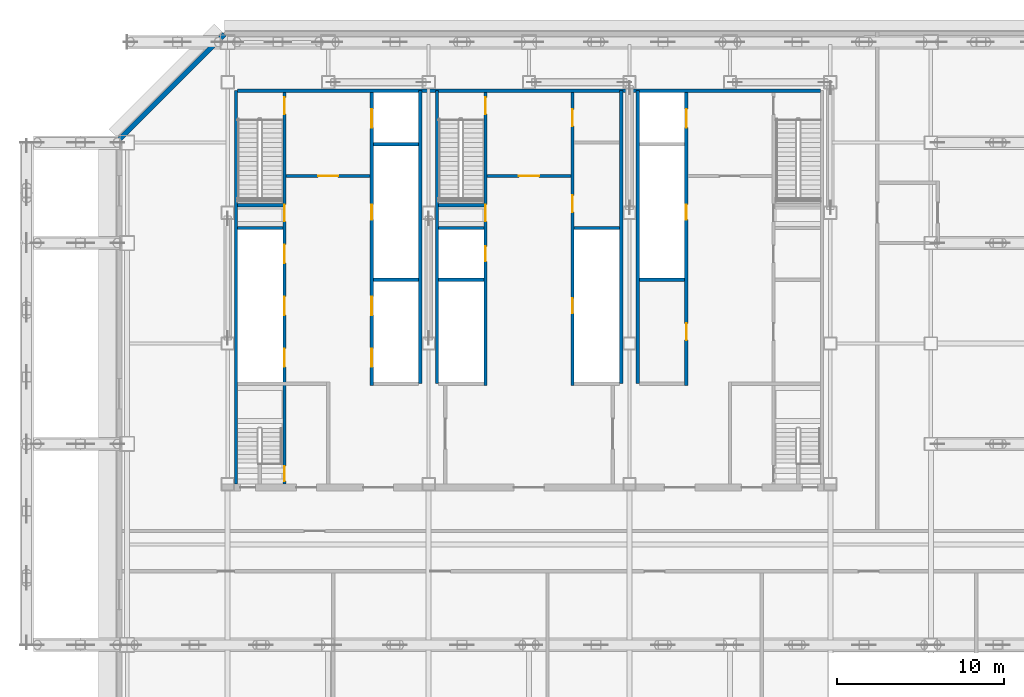
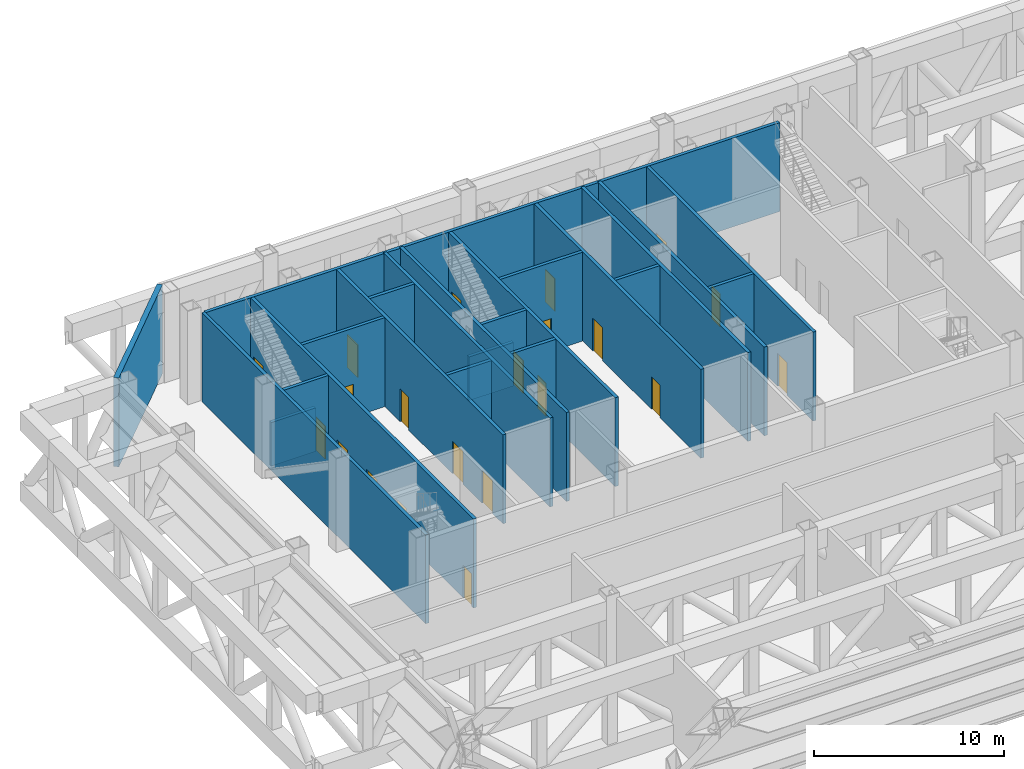
# One storey, part 7 of 17: 23 walls, 21 doors, 21 openings.
"""IFC4 building model written with IfcOpenShell, lengths in metres."""

from ifc_helpers import new_model, si_unit, direction, frame, frame_2d, origin, place, context, subcontext, project, spatial, rectangle, extrude, material, layer, layer_set, type_object, element, fill, save


model = new_model("IFC4")

# Units and contexts
model_context = context("Model", 3, precision=1e-05, world=origin(), true_north=direction((0.0, 1.0)))
body_context = subcontext(model_context, "Body", "Model", "MODEL_VIEW")
ifc_project = project(units=[si_unit("LENGTHUNIT", "METRE"), si_unit("AREAUNIT", "SQUARE_METRE"), si_unit("VOLUMEUNIT", "CUBIC_METRE"), si_unit("PLANEANGLEUNIT", "RADIAN"), si_unit("MASSUNIT", "GRAM", prefix="KILO")], contexts=[model_context])

# Site, building, storey
site_placement = place(None, origin())
site = spatial("IfcSite", under=ifc_project, at=site_placement, CompositionType="ELEMENT")
building_placement = place(site_placement, origin())
building = spatial("IfcBuilding", under=site, at=building_placement, Name="Sorahane Residences", CompositionType="ELEMENT")
storey_placement = place(building_placement, frame((0.0, 0.0, 90.199951171875)))
storey = spatial("IfcBuildingStorey", under=building, at=storey_placement, Name="L19", CompositionType="ELEMENT", Elevation=90.199951171875)

# Walls
ifc_material_1 = material(Name="Concrete C30", Category="concrete")
ifc_layer_1 = layer(ifc_material_1, 0.199951171875)
ifc_layer_set_1 = layer_set([ifc_layer_1], Name="Core face wall 200 EI 180")
wall_type_1 = type_object("IfcWallType", Name="Core face wall 200 EI 180", PredefinedType="SOLIDWALL", material=ifc_layer_set_1)
wall_1_placement = place(storey_placement, frame((6.5, 21.60009765625, 0.0), z_axis=(0.0, 0.0, 1.0), x_axis=(0.0, 1.0, 0.0)))
element("IfcWall", 1, at=wall_1_placement, inside=storey, type_object=wall_type_1, Name="L19 core face wall", PredefinedType="SOLIDWALL", context=body_context, shape_type="SweptSolid", body=[
    extrude(rectangle(XDim=23.5, YDim=0.199951171875, at=frame_2d((11.75, 0.0))), origin(), (0.0, 0.0, 1.0), 5.699951171875),
])
wall_2_placement = place(storey_placement, frame((6.60009765625, 45.10009765625, 0.0), z_axis=(0.0, 0.0, 1.0), x_axis=(1.0, 0.0, 0.0)))
element("IfcWall", 2, at=wall_2_placement, inside=storey, type_object=wall_type_1, Name="L19 core face wall", PredefinedType="SOLIDWALL", context=body_context, shape_type="SweptSolid", body=[
    extrude(rectangle(XDim=34.7998046875, YDim=0.199951171875, at=frame_2d((17.39990234375, 0.0))), origin(), (0.0, 0.0, 1.0), 5.699951171875),
])
for number, where, z_axis, x_axis, name in (
    (3, (17.5, 27.60009765625, 0.0), (0.0, 0.0, 1.0), (0.0, 1.0, 0.0), "L19 core face wall"),
    (4, (18.5, 27.60009765625, 0.0), (0.0, 0.0, 1.0), (0.0, 1.0, 0.0), "L19 core face wall"),
    (5, (29.5, 27.60009765625, 0.0), (0.0, 0.0, 1.0), (0.0, 1.0, 0.0), "L19 core face wall"),
    (6, (30.5, 27.60009765625, 0.0), (0.0, 0.0, 1.0), (0.0, 1.0, 0.0), "L19 core face wall"),
):
    element("IfcWall", number, at=place(storey_placement, frame(where, z_axis=z_axis, x_axis=x_axis)), inside=storey, type_object=wall_type_1, Name=name, PredefinedType="SOLIDWALL", context=body_context, shape_type="SweptSolid", body=[
        extrude(rectangle(XDim=17.5, YDim=0.199951171875, at=frame_2d((8.75, 0.0))), origin(), (0.0, 0.0, 1.0), 5.699951171875),
    ])
ifc_material_2 = material(Name="Graphite insulated metal-clad wall")
ifc_layer_2 = layer(ifc_material_2, 0.300048828125)
ifc_layer_set_2 = layer_set([ifc_layer_2], Name="External wall insulated metal-clad 300")
wall_type_2 = type_object("IfcWallType", Name="External wall insulated metal-clad 300", PredefinedType="SOLIDWALL", material=ifc_layer_set_2)
wall_3_placement = place(storey_placement, frame((5.805419921875, 48.469970703125, 0.0), z_axis=(0.0, 0.0, 1.0), x_axis=(-0.707106781187, -0.707106781187, 0.0)))
element("IfcWall", 7, at=wall_3_placement, inside=storey, type_object=wall_type_2, Name="External plant wall L19 NW1", PredefinedType="SOLIDWALL", context=body_context, shape_type="SweptSolid", body=[
    extrude(rectangle(XDim=8.874755859375, YDim=0.300048828125, at=frame_2d((4.4375, 0.0))), origin(), (0.0, 0.0, 1.0), 5.699951171875),
])

# Wall, opening, door
ifc_material_3 = material(Name="Concrete C30", Category="concrete")
ifc_layer_3 = layer(ifc_material_3, 0.199951171875)
ifc_layer_set_3 = layer_set([ifc_layer_3], Name="Front room wall 200 EI 120")
wall_type_3 = type_object("IfcWallType", Name="Front room wall 200 EI 120", PredefinedType="PARTITIONING", material=ifc_layer_set_3)
wall_4_placement = place(storey_placement, frame((21.5, 40.0, 0.0), z_axis=(0.0, 0.0, 1.0), x_axis=(1.0, 0.0, 0.0)))
wall_4 = element("IfcWall", 8, at=wall_4_placement, inside=storey, type_object=wall_type_3, Name="L19 front room wall", PredefinedType="PARTITIONING", context=body_context, shape_type="SweptSolid", body=[
    extrude(rectangle(XDim=5.0, YDim=0.199951171875, at=frame_2d((2.5, 0.0))), origin(), (0.0, 0.0, 1.0), 5.699951171875),
])
opening_1_placement = place(wall_4_placement, frame((1.89990234375, 0.0, 0.0)))
opening_1 = element("IfcOpeningElement", 9, at=opening_1_placement, cuts=wall_4, Name="Opening L19-C09", PredefinedType="OPENING", context=body_context, shape_type="SweptSolid", body=[
    extrude(rectangle(XDim=1.199951171875, YDim=2.10009765625, at=frame_2d((0.60009765625, 1.050048828125))), frame((0.0, 0.10986328125, 0.0), z_axis=(0.0, -1.0, 0.0), x_axis=(1.0, 0.0, 0.0)), (0.0, 0.0, 1.0), 0.219970703125),
])
ifc_material_4 = material(Name="Steel", Category="steel")
door_type_1 = type_object("IfcDoorType", Name="Front room door 1200x2100 FD120", OperationType="NOTDEFINED", PredefinedType="DOOR", material=ifc_material_4)
door_1_placement = place(opening_1_placement, frame((1.199951171875, 0.0, 0.0), z_axis=(0.0, 0.0, 1.0), x_axis=(-1.0, 0.0, 0.0)))
door_1 = element("IfcDoor", 10, at=door_1_placement, inside=storey, type_object=door_type_1, Name="Front room door Stair S3 vestibule L19", OperationType="DOUBLE_DOOR_SINGLE_SWING", OverallHeight=2.10009765625, OverallWidth=1.199951171875, PredefinedType="DOOR", context=body_context, shape_type="SweptSolid", body=[
    extrude(rectangle(XDim=1.199951171875, YDim=2.10009765625, at=frame_2d((0.60009765625, 1.050048828125))), frame((0.0, 0.02490234375, 0.0), z_axis=(0.0, -1.0, 0.0), x_axis=(1.0, 0.0, 0.0)), (0.0, 0.0, 1.0), 0.050048828125),
])
fill(opening_1, door_1)

wall_5_placement = place(storey_placement, frame((9.5, 40.0, 0.0), z_axis=(0.0, 0.0, 1.0), x_axis=(1.0, 0.0, 0.0)))
wall_5 = element("IfcWall", 11, at=wall_5_placement, inside=storey, type_object=wall_type_3, Name="L19 front room wall", PredefinedType="PARTITIONING", context=body_context, shape_type="SweptSolid", body=[
    extrude(rectangle(XDim=5.0, YDim=0.199951171875, at=frame_2d((2.5, 0.0))), origin(), (0.0, 0.0, 1.0), 5.699951171875),
])
opening_2_placement = place(wall_5_placement, frame((1.89990234375, 0.0, 0.0)))
opening_2 = element("IfcOpeningElement", 12, at=opening_2_placement, cuts=wall_5, Name="Opening L19-C08", PredefinedType="OPENING", context=body_context, shape_type="SweptSolid", body=[
    extrude(rectangle(XDim=1.199951171875, YDim=2.10009765625, at=frame_2d((0.60009765625, 1.050048828125))), frame((0.0, 0.10986328125, 0.0), z_axis=(0.0, -1.0, 0.0), x_axis=(1.0, 0.0, 0.0)), (0.0, 0.0, 1.0), 0.219970703125),
])
door_2_placement = place(opening_2_placement, frame((1.199951171875, 0.0, 0.0), z_axis=(0.0, 0.0, 1.0), x_axis=(-1.0, 0.0, 0.0)))
door_2 = element("IfcDoor", 13, at=door_2_placement, inside=storey, type_object=door_type_1, Name="Front room door Firefighting lobby FF1 front room L19", OperationType="DOUBLE_DOOR_SINGLE_SWING", OverallHeight=2.10009765625, OverallWidth=1.199951171875, PredefinedType="DOOR", context=body_context, shape_type="SweptSolid", body=[
    extrude(rectangle(XDim=1.199951171875, YDim=2.10009765625, at=frame_2d((0.60009765625, 1.050048828125))), frame((0.0, 0.02490234375, 0.0), z_axis=(0.0, -1.0, 0.0), x_axis=(1.0, 0.0, 0.0)), (0.0, 0.0, 1.0), 0.050048828125),
])
fill(opening_2, door_2)

# Wall, openings, doors
ifc_material_5 = material(Name="Concrete C30", Category="concrete")
ifc_layer_4 = layer(ifc_material_5, 0.199951171875)
ifc_layer_set_4 = layer_set([ifc_layer_4], Name="Lift shaft wall 200 EI 120")
wall_type_4 = type_object("IfcWallType", Name="Lift shaft wall 200 EI 120", PredefinedType="SOLIDWALL", material=ifc_layer_set_4)
wall_6_placement = place(storey_placement, frame((14.60009765625, 27.5, 0.0), z_axis=(0.0, 0.0, 1.0), x_axis=(0.0, 1.0, 0.0)))
wall_6 = element("IfcWall", 14, at=wall_6_placement, inside=storey, type_object=wall_type_4, Name="L19 lift shaft wall", PredefinedType="SOLIDWALL", context=body_context, shape_type="SweptSolid", body=[
    extrude(rectangle(XDim=17.5, YDim=0.199951171875, at=frame_2d((8.75, 0.0))), origin(), (0.0, 0.0, 1.0), 5.699951171875),
])
opening_3_placement = place(wall_6_placement, frame((1.10009765625, 0.0, 0.0)))
opening_3 = element("IfcOpeningElement", 15, at=opening_3_placement, cuts=wall_6, Name="Opening L19-C12", PredefinedType="OPENING", context=body_context, shape_type="SweptSolid", body=[
    extrude(rectangle(XDim=1.10009765625, YDim=2.10009765625, at=frame_2d((0.550048828125, 1.050048828125))), frame((0.0, 0.10986328125, 0.0), z_axis=(0.0, -1.0, 0.0), x_axis=(1.0, 0.0, 0.0)), (0.0, 0.0, 1.0), 0.219970703125),
])
opening_4_placement = place(wall_6_placement, frame((4.199951171875, 0.0, 0.0)))
opening_4 = element("IfcOpeningElement", 16, at=opening_4_placement, cuts=wall_6, Name="Opening L19-C13", PredefinedType="OPENING", context=body_context, shape_type="SweptSolid", body=[
    extrude(rectangle(XDim=1.10009765625, YDim=2.10009765625, at=frame_2d((0.550048828125, 1.050048828125))), frame((0.0, 0.10986328125, 0.0), z_axis=(0.0, -1.0, 0.0), x_axis=(1.0, 0.0, 0.0)), (0.0, 0.0, 1.0), 0.219970703125),
])
opening_5_placement = place(wall_6_placement, frame((15.39990234375, 0.0, 0.0)))
opening_5 = element("IfcOpeningElement", 17, at=opening_5_placement, cuts=wall_6, Name="Opening L19-C14", PredefinedType="OPENING", context=body_context, shape_type="SweptSolid", body=[
    extrude(rectangle(XDim=1.10009765625, YDim=2.10009765625, at=frame_2d((0.550048828125, 1.050048828125))), frame((0.0, 0.10986328125, 0.0), z_axis=(0.0, -1.0, 0.0), x_axis=(1.0, 0.0, 0.0)), (0.0, 0.0, 1.0), 0.219970703125),
])
opening_6_placement = place(wall_6_placement, frame((9.89990234375, 0.0, 0.0)))
opening_6 = element("IfcOpeningElement", 18, at=opening_6_placement, cuts=wall_6, Name="Opening L19-C31", PredefinedType="OPENING", context=body_context, shape_type="SweptSolid", body=[
    extrude(rectangle(XDim=0.89990234375, YDim=2.10009765625, at=frame_2d((0.449951171875, 1.050048828125))), frame((0.0, 0.10986328125, 0.0), z_axis=(0.0, -1.0, 0.0), x_axis=(1.0, 0.0, 0.0)), (0.0, 0.0, 1.0), 0.219970703125),
])
ifc_material_6 = material(Name="Aluminium and stainless steel", Category="steel")
door_type_2 = type_object("IfcDoorType", Name="Lift landing door 1100x2100 E 60", OperationType="NOTDEFINED", PredefinedType="DOOR", material=ifc_material_6)
door_3_placement = place(opening_3_placement, origin())
door_3 = element("IfcDoor", 19, at=door_3_placement, inside=storey, type_object=door_type_2, Name="Lift landing door LR4 L19", OperationType="DOUBLE_DOOR_SLIDING", OverallHeight=2.10009765625, OverallWidth=1.10009765625, PredefinedType="DOOR", context=body_context, shape_type="SweptSolid", body=[
    extrude(rectangle(XDim=1.10009765625, YDim=2.10009765625, at=frame_2d((0.550048828125, 1.050048828125))), frame((0.0, 0.02490234375, 0.0), z_axis=(0.0, -1.0, 0.0), x_axis=(1.0, 0.0, 0.0)), (0.0, 0.0, 1.0), 0.050048828125),
])
fill(opening_3, door_3)
door_4_placement = place(opening_4_placement, origin())
door_4 = element("IfcDoor", 20, at=door_4_placement, inside=storey, type_object=door_type_2, Name="Lift landing door LR5 L19", OperationType="DOUBLE_DOOR_SLIDING", OverallHeight=2.10009765625, OverallWidth=1.10009765625, PredefinedType="DOOR", context=body_context, shape_type="SweptSolid", body=[
    extrude(rectangle(XDim=1.10009765625, YDim=2.10009765625, at=frame_2d((0.550048828125, 1.050048828125))), frame((0.0, 0.02490234375, 0.0), z_axis=(0.0, -1.0, 0.0), x_axis=(1.0, 0.0, 0.0)), (0.0, 0.0, 1.0), 0.050048828125),
])
fill(opening_4, door_4)
door_5_placement = place(opening_5_placement, origin())
door_5 = element("IfcDoor", 21, at=door_5_placement, inside=storey, type_object=door_type_2, Name="Lift landing door FF1 L19", OperationType="DOUBLE_DOOR_SLIDING", OverallHeight=2.10009765625, OverallWidth=1.10009765625, PredefinedType="DOOR", context=body_context, shape_type="SweptSolid", body=[
    extrude(rectangle(XDim=1.10009765625, YDim=2.10009765625, at=frame_2d((0.550048828125, 1.050048828125))), frame((0.0, 0.02490234375, 0.0), z_axis=(0.0, -1.0, 0.0), x_axis=(1.0, 0.0, 0.0)), (0.0, 0.0, 1.0), 0.050048828125),
])
fill(opening_5, door_5)
ifc_material_7 = material(Name="Steel", Category="steel")
door_type_3 = type_object("IfcDoorType", Name="Riser door 900x2100 FD120", OperationType="NOTDEFINED", PredefinedType="DOOR", material=ifc_material_7)
door_6_placement = place(opening_6_placement, origin())
door_6 = element("IfcDoor", 22, at=door_6_placement, inside=storey, type_object=door_type_3, Name="Riser door R1 L19", OperationType="SINGLE_SWING_LEFT", OverallHeight=2.10009765625, OverallWidth=0.89990234375, PredefinedType="DOOR", context=body_context, shape_type="SweptSolid", body=[
    extrude(rectangle(XDim=0.89990234375, YDim=2.10009765625, at=frame_2d((0.449951171875, 1.050048828125))), frame((0.0, 0.02490234375, 0.0), z_axis=(0.0, -1.0, 0.0), x_axis=(1.0, 0.0, 0.0)), (0.0, 0.0, 1.0), 0.050048828125),
])
fill(opening_6, door_6)

wall_7_placement = place(storey_placement, frame((33.39990234375, 27.5, 0.0), z_axis=(0.0, 0.0, 1.0), x_axis=(0.0, 1.0, 0.0)))
wall_7 = element("IfcWall", 23, at=wall_7_placement, inside=storey, type_object=wall_type_4, Name="L19 lift shaft wall", PredefinedType="SOLIDWALL", context=body_context, shape_type="SweptSolid", body=[
    extrude(rectangle(XDim=17.5, YDim=0.199951171875, at=frame_2d((8.75, 0.0))), origin(), (0.0, 0.0, 1.0), 5.699951171875),
])
opening_7_placement = place(wall_7_placement, frame((15.39990234375, 0.0, 0.0)))
opening_7 = element("IfcOpeningElement", 24, at=opening_7_placement, cuts=wall_7, Name="Opening L19-C11", PredefinedType="OPENING", context=body_context, shape_type="SweptSolid", body=[
    extrude(rectangle(XDim=1.10009765625, YDim=2.10009765625, at=frame_2d((0.550048828125, 1.050048828125))), frame((0.0, 0.10986328125, 0.0), z_axis=(0.0, -1.0, 0.0), x_axis=(1.0, 0.0, 0.0)), (0.0, 0.0, 1.0), 0.219970703125),
])
opening_8_placement = place(wall_7_placement, frame((2.699951171875, 0.0, 0.0)))
opening_8 = element("IfcOpeningElement", 25, at=opening_8_placement, cuts=wall_7, Name="Opening L19-C20", PredefinedType="OPENING", context=body_context, shape_type="SweptSolid", body=[
    extrude(rectangle(XDim=1.0, YDim=2.10009765625, at=frame_2d((0.5, 1.050048828125))), frame((0.0, 0.10986328125, 0.0), z_axis=(0.0, -1.0, 0.0), x_axis=(1.0, 0.0, 0.0)), (0.0, 0.0, 1.0), 0.219970703125),
])
opening_9_placement = place(wall_7_placement, frame((9.89990234375, 0.0, 0.0)))
opening_9 = element("IfcOpeningElement", 26, at=opening_9_placement, cuts=wall_7, Name="Opening L19-C32", PredefinedType="OPENING", context=body_context, shape_type="SweptSolid", body=[
    extrude(rectangle(XDim=0.89990234375, YDim=2.10009765625, at=frame_2d((0.449951171875, 1.050048828125))), frame((0.0, 0.10986328125, 0.0), z_axis=(0.0, -1.0, 0.0), x_axis=(1.0, 0.0, 0.0)), (0.0, 0.0, 1.0), 0.219970703125),
])
door_7_placement = place(opening_7_placement, origin())
door_7 = element("IfcDoor", 27, at=door_7_placement, inside=storey, type_object=door_type_2, Name="Lift landing door FF2 L19", OperationType="DOUBLE_DOOR_SLIDING", OverallHeight=2.10009765625, OverallWidth=1.10009765625, PredefinedType="DOOR", context=body_context, shape_type="SweptSolid", body=[
    extrude(rectangle(XDim=1.10009765625, YDim=2.10009765625, at=frame_2d((0.550048828125, 1.050048828125))), frame((0.0, 0.02490234375, 0.0), z_axis=(0.0, -1.0, 0.0), x_axis=(1.0, 0.0, 0.0)), (0.0, 0.0, 1.0), 0.050048828125),
])
fill(opening_7, door_7)
door_8_placement = place(opening_9_placement, frame((0.89990234375, 0.0, 0.0), z_axis=(0.0, 0.0, 1.0), x_axis=(-1.0, 0.0, 0.0)))
door_8 = element("IfcDoor", 28, at=door_8_placement, inside=storey, type_object=door_type_3, Name="Riser door R2 L19", OperationType="SINGLE_SWING_LEFT", OverallHeight=2.10009765625, OverallWidth=0.89990234375, PredefinedType="DOOR", context=body_context, shape_type="SweptSolid", body=[
    extrude(rectangle(XDim=0.89990234375, YDim=2.10009765625, at=frame_2d((0.449951171875, 1.050048828125))), frame((0.0, 0.02490234375, 0.0), z_axis=(0.0, -1.0, 0.0), x_axis=(1.0, 0.0, 0.0)), (0.0, 0.0, 1.0), 0.050048828125),
])
fill(opening_9, door_8)
ifc_material_8 = material(Name="Steel", Category="steel")
door_type_4 = type_object("IfcDoorType", Name="Service room door 1000x2100 FD60", OperationType="NOTDEFINED", PredefinedType="DOOR", material=ifc_material_8)
door_9_placement = place(opening_8_placement, origin())
door_9 = element("IfcDoor", 29, at=door_9_placement, inside=storey, type_object=door_type_4, Name="Service room door Wine room L19", OperationType="SINGLE_SWING_RIGHT", OverallHeight=2.10009765625, OverallWidth=1.0, PredefinedType="DOOR", context=body_context, shape_type="SweptSolid", body=[
    extrude(rectangle(XDim=1.0, YDim=2.10009765625, at=frame_2d((0.5, 1.050048828125))), frame((0.0, 0.02490234375, 0.0), z_axis=(0.0, -1.0, 0.0), x_axis=(1.0, 0.0, 0.0)), (0.0, 0.0, 1.0), 0.050048828125),
])
fill(opening_8, door_9)

# Walls
for number, where, z_axis, x_axis, name in (
    (30, (14.699951171875, 33.800048828125, 0.0), (0.0, 0.0, 1.0), (1.0, 0.0, 0.0), "L19 lift shaft wall"),
    (31, (18.60009765625, 33.800048828125, 0.0), (0.0, 0.0, 1.0), (1.0, 0.0, 0.0), "L19 lift shaft wall"),
    (32, (14.699951171875, 41.89990234375, 0.0), (0.0, 0.0, 1.0), (1.0, 0.0, 0.0), "L19 lift shaft wall"),
):
    element("IfcWall", number, at=place(storey_placement, frame(where, z_axis=z_axis, x_axis=x_axis)), inside=storey, type_object=wall_type_4, Name=name, PredefinedType="SOLIDWALL", context=body_context, shape_type="SweptSolid", body=[
        extrude(rectangle(XDim=2.699951171875, YDim=0.199951171875, at=frame_2d((1.35009765625, 0.0))), origin(), (0.0, 0.0, 1.0), 5.699951171875),
    ])

# Wall, openings, doors
ifc_material_9 = material(Name="Concrete C30", Category="concrete")
ifc_layer_5 = layer(ifc_material_9, 0.199951171875)
ifc_layer_set_5 = layer_set([ifc_layer_5], Name="Riser shaft wall 200 EI 120")
wall_type_5 = type_object("IfcWallType", Name="Riser shaft wall 200 EI 120", PredefinedType="SOLIDWALL", material=ifc_layer_set_5)
wall_8_placement = place(storey_placement, frame((26.60009765625, 27.5, 0.0), z_axis=(0.0, 0.0, 1.0), x_axis=(0.0, 1.0, 0.0)))
wall_8 = element("IfcWall", 33, at=wall_8_placement, inside=storey, type_object=wall_type_5, Name="L19 riser wall", PredefinedType="SOLIDWALL", context=body_context, shape_type="SweptSolid", body=[
    extrude(rectangle(XDim=17.5, YDim=0.199951171875, at=frame_2d((8.75, 0.0))), origin(), (0.0, 0.0, 1.0), 5.699951171875),
])
opening_10_placement = place(wall_8_placement, frame((4.300048828125, 0.0, 0.0)))
opening_10 = element("IfcOpeningElement", 34, at=opening_10_placement, cuts=wall_8, Name="Opening L19-C34", PredefinedType="OPENING", context=body_context, shape_type="SweptSolid", body=[
    extrude(rectangle(XDim=0.89990234375, YDim=2.10009765625, at=frame_2d((0.449951171875, 1.050048828125))), frame((0.0, 0.10986328125, 0.0), z_axis=(0.0, -1.0, 0.0), x_axis=(1.0, 0.0, 0.0)), (0.0, 0.0, 1.0), 0.219970703125),
])
opening_11_placement = place(wall_8_placement, frame((10.35009765625, 0.0, 0.0)))
opening_11 = element("IfcOpeningElement", 35, at=opening_11_placement, cuts=wall_8, Name="Opening L19-C35", PredefinedType="OPENING", context=body_context, shape_type="SweptSolid", body=[
    extrude(rectangle(XDim=1.0, YDim=2.10009765625, at=frame_2d((0.5, 1.050048828125))), frame((0.0, 0.10986328125, 0.0), z_axis=(0.0, -1.0, 0.0), x_axis=(1.0, 0.0, 0.0)), (0.0, 0.0, 1.0), 0.219970703125),
])
opening_12_placement = place(wall_8_placement, frame((15.47509765625, 0.0, 0.0)))
opening_12 = element("IfcOpeningElement", 36, at=opening_12_placement, cuts=wall_8, Name="Opening L19-C36", PredefinedType="OPENING", context=body_context, shape_type="SweptSolid", body=[
    extrude(rectangle(XDim=1.0, YDim=2.10009765625, at=frame_2d((0.5, 1.050048828125))), frame((0.0, 0.10986328125, 0.0), z_axis=(0.0, -1.0, 0.0), x_axis=(1.0, 0.0, 0.0)), (0.0, 0.0, 1.0), 0.219970703125),
])
door_10_placement = place(opening_10_placement, origin())
door_10 = element("IfcDoor", 37, at=door_10_placement, inside=storey, type_object=door_type_3, Name="Riser door R4 L19", OperationType="SINGLE_SWING_LEFT", OverallHeight=2.10009765625, OverallWidth=0.89990234375, PredefinedType="DOOR", context=body_context, shape_type="SweptSolid", body=[
    extrude(rectangle(XDim=0.89990234375, YDim=2.10009765625, at=frame_2d((0.449951171875, 1.050048828125))), frame((0.0, 0.02490234375, 0.0), z_axis=(0.0, -1.0, 0.0), x_axis=(1.0, 0.0, 0.0)), (0.0, 0.0, 1.0), 0.050048828125),
])
fill(opening_10, door_10)
door_11_placement = place(opening_11_placement, frame((1.0, 0.0, 0.0), z_axis=(0.0, 0.0, 1.0), x_axis=(-1.0, 0.0, 0.0)))
door_11 = element("IfcDoor", 38, at=door_11_placement, inside=storey, type_object=door_type_4, Name="Service room door Parcel room L19", OperationType="SINGLE_SWING_LEFT", OverallHeight=2.10009765625, OverallWidth=1.0, PredefinedType="DOOR", context=body_context, shape_type="SweptSolid", body=[
    extrude(rectangle(XDim=1.0, YDim=2.10009765625, at=frame_2d((0.5, 1.050048828125))), frame((0.0, 0.02490234375, 0.0), z_axis=(0.0, -1.0, 0.0), x_axis=(1.0, 0.0, 0.0)), (0.0, 0.0, 1.0), 0.050048828125),
])
fill(opening_11, door_11)
door_12_placement = place(opening_12_placement, frame((1.0, 0.0, 0.0), z_axis=(0.0, 0.0, 1.0), x_axis=(-1.0, 0.0, 0.0)))
door_12 = element("IfcDoor", 39, at=door_12_placement, inside=storey, type_object=door_type_4, Name="Service room door Refuse room L19", OperationType="SINGLE_SWING_RIGHT", OverallHeight=2.10009765625, OverallWidth=1.0, PredefinedType="DOOR", context=body_context, shape_type="SweptSolid", body=[
    extrude(rectangle(XDim=1.0, YDim=2.10009765625, at=frame_2d((0.5, 1.050048828125))), frame((0.0, 0.02490234375, 0.0), z_axis=(0.0, -1.0, 0.0), x_axis=(1.0, 0.0, 0.0)), (0.0, 0.0, 1.0), 0.050048828125),
])
fill(opening_12, door_12)

# Walls
for number, where, z_axis, x_axis, name in (
    (40, (30.60009765625, 33.800048828125, 0.0), (0.0, 0.0, 1.0), (1.0, 0.0, 0.0), "L19 riser wall"),
    (41, (26.699951171875, 36.89990234375, 0.0), (0.0, 0.0, 1.0), (1.0, 0.0, 0.0), "L19 riser wall"),
):
    element("IfcWall", number, at=place(storey_placement, frame(where, z_axis=z_axis, x_axis=x_axis)), inside=storey, type_object=wall_type_5, Name=name, PredefinedType="SOLIDWALL", context=body_context, shape_type="SweptSolid", body=[
        extrude(rectangle(XDim=2.699951171875, YDim=0.199951171875, at=frame_2d((1.35009765625, 0.0))), origin(), (0.0, 0.0, 1.0), 5.699951171875),
    ])

# Wall, openings, doors
ifc_material_10 = material(Name="Concrete C30", Category="concrete")
ifc_layer_6 = layer(ifc_material_10, 0.199951171875)
ifc_layer_set_6 = layer_set([ifc_layer_6], Name="Stair enclosure wall 200 EI 120")
wall_type_6 = type_object("IfcWallType", Name="Stair enclosure wall 200 EI 120", PredefinedType="SOLIDWALL", material=ifc_layer_set_6)
wall_9_placement = place(storey_placement, frame((21.39990234375, 27.5, 0.0), z_axis=(0.0, 0.0, 1.0), x_axis=(0.0, 1.0, 0.0)))
wall_9 = element("IfcWall", 42, at=wall_9_placement, inside=storey, type_object=wall_type_6, Name="L19 stair enclosure wall", PredefinedType="SOLIDWALL", context=body_context, shape_type="SweptSolid", body=[
    extrude(rectangle(XDim=17.5, YDim=0.199951171875, at=frame_2d((8.75, 0.0))), origin(), (0.0, 0.0, 1.0), 5.699951171875),
])
opening_13_placement = place(wall_9_placement, frame((9.800048828125, 0.0, 0.0)))
opening_13 = element("IfcOpeningElement", 43, at=opening_13_placement, cuts=wall_9, Name="Opening L19-C25", PredefinedType="OPENING", context=body_context, shape_type="SweptSolid", body=[
    extrude(rectangle(XDim=1.0, YDim=2.10009765625, at=frame_2d((0.5, 1.050048828125))), frame((0.0, 0.10986328125, 0.0), z_axis=(0.0, -1.0, 0.0), x_axis=(1.0, 0.0, 0.0)), (0.0, 0.0, 1.0), 0.219970703125),
])
opening_14_placement = place(wall_9_placement, frame((16.199951171875, 0.0, 0.0)))
opening_14 = element("IfcOpeningElement", 44, at=opening_14_placement, cuts=wall_9, Name="Opening L19-C26", PredefinedType="OPENING", context=body_context, shape_type="SweptSolid", body=[
    extrude(rectangle(XDim=1.0, YDim=2.10009765625, at=frame_2d((0.5, 1.050048828125))), frame((0.0, 0.10986328125, 0.0), z_axis=(0.0, -1.0, 0.0), x_axis=(1.0, 0.0, 0.0)), (0.0, 0.0, 1.0), 0.219970703125),
])
opening_15_placement = place(wall_9_placement, frame((7.39990234375, 0.0, 0.0)))
opening_15 = element("IfcOpeningElement", 45, at=opening_15_placement, cuts=wall_9, Name="Opening L19-C33", PredefinedType="OPENING", context=body_context, shape_type="SweptSolid", body=[
    extrude(rectangle(XDim=0.89990234375, YDim=2.10009765625, at=frame_2d((0.449951171875, 1.050048828125))), frame((0.0, 0.10986328125, 0.0), z_axis=(0.0, -1.0, 0.0), x_axis=(1.0, 0.0, 0.0)), (0.0, 0.0, 1.0), 0.219970703125),
])
ifc_material_11 = material(Name="Steel", Category="steel")
door_type_5 = type_object("IfcDoorType", Name="Refuge stair door 1000x2100 FD120", OperationType="NOTDEFINED", PredefinedType="DOOR", material=ifc_material_11)
door_13_placement = place(opening_13_placement, origin())
door_13 = element("IfcDoor", 46, at=door_13_placement, inside=storey, type_object=door_type_5, Name="Refuge stair door S3 L19", OperationType="SINGLE_SWING_LEFT", OverallHeight=2.10009765625, OverallWidth=1.0, PredefinedType="DOOR", context=body_context, shape_type="SweptSolid", body=[
    extrude(rectangle(XDim=1.0, YDim=2.10009765625, at=frame_2d((0.5, 1.050048828125))), frame((0.0, 0.02490234375, 0.0), z_axis=(0.0, -1.0, 0.0), x_axis=(1.0, 0.0, 0.0)), (0.0, 0.0, 1.0), 0.050048828125),
])
fill(opening_13, door_13)
door_14_placement = place(opening_14_placement, origin())
door_14 = element("IfcDoor", 47, at=door_14_placement, inside=storey, type_object=door_type_5, Name="Refuge stair door S3 L19", OperationType="SINGLE_SWING_LEFT", OverallHeight=2.10009765625, OverallWidth=1.0, PredefinedType="DOOR", context=body_context, shape_type="SweptSolid", body=[
    extrude(rectangle(XDim=1.0, YDim=2.10009765625, at=frame_2d((0.5, 1.050048828125))), frame((0.0, 0.02490234375, 0.0), z_axis=(0.0, -1.0, 0.0), x_axis=(1.0, 0.0, 0.0)), (0.0, 0.0, 1.0), 0.050048828125),
])
fill(opening_14, door_14)
door_15_placement = place(opening_15_placement, frame((0.89990234375, 0.0, 0.0), z_axis=(0.0, 0.0, 1.0), x_axis=(-1.0, 0.0, 0.0)))
door_15 = element("IfcDoor", 48, at=door_15_placement, inside=storey, type_object=door_type_3, Name="Riser door R3 L19", OperationType="SINGLE_SWING_LEFT", OverallHeight=2.10009765625, OverallWidth=0.89990234375, PredefinedType="DOOR", context=body_context, shape_type="SweptSolid", body=[
    extrude(rectangle(XDim=0.89990234375, YDim=2.10009765625, at=frame_2d((0.449951171875, 1.050048828125))), frame((0.0, 0.02490234375, 0.0), z_axis=(0.0, -1.0, 0.0), x_axis=(1.0, 0.0, 0.0)), (0.0, 0.0, 1.0), 0.050048828125),
])
fill(opening_15, door_15)

wall_10_placement = place(storey_placement, frame((9.39990234375, 21.60009765625, 0.0), z_axis=(0.0, 0.0, 1.0), x_axis=(0.0, 1.0, 0.0)))
wall_10 = element("IfcWall", 49, at=wall_10_placement, inside=storey, type_object=wall_type_6, Name="L19 stair enclosure wall", PredefinedType="SOLIDWALL", context=body_context, shape_type="SweptSolid", body=[
    extrude(rectangle(XDim=23.39990234375, YDim=0.199951171875, at=frame_2d((11.699951171875, 0.0))), origin(), (0.0, 0.0, 1.0), 5.699951171875),
])
opening_16_placement = place(wall_10_placement, frame((7.0, 0.0, 0.0)))
opening_16 = element("IfcOpeningElement", 50, at=opening_16_placement, cuts=wall_10, Name="Opening L19-C15", PredefinedType="OPENING", context=body_context, shape_type="SweptSolid", body=[
    extrude(rectangle(XDim=1.10009765625, YDim=2.10009765625, at=frame_2d((0.550048828125, 1.050048828125))), frame((0.0, 0.10986328125, 0.0), z_axis=(0.0, -1.0, 0.0), x_axis=(1.0, 0.0, 0.0)), (0.0, 0.0, 1.0), 0.219970703125),
])
opening_17_placement = place(wall_10_placement, frame((10.10009765625, 0.0, 0.0)))
opening_17 = element("IfcOpeningElement", 51, at=opening_17_placement, cuts=wall_10, Name="Opening L19-C16", PredefinedType="OPENING", context=body_context, shape_type="SweptSolid", body=[
    extrude(rectangle(XDim=1.10009765625, YDim=2.10009765625, at=frame_2d((0.550048828125, 1.050048828125))), frame((0.0, 0.10986328125, 0.0), z_axis=(0.0, -1.0, 0.0), x_axis=(1.0, 0.0, 0.0)), (0.0, 0.0, 1.0), 0.219970703125),
])
opening_18_placement = place(wall_10_placement, frame((13.199951171875, 0.0, 0.0)))
opening_18 = element("IfcOpeningElement", 52, at=opening_18_placement, cuts=wall_10, Name="Opening L19-C17", PredefinedType="OPENING", context=body_context, shape_type="SweptSolid", body=[
    extrude(rectangle(XDim=1.10009765625, YDim=2.10009765625, at=frame_2d((0.550048828125, 1.050048828125))), frame((0.0, 0.10986328125, 0.0), z_axis=(0.0, -1.0, 0.0), x_axis=(1.0, 0.0, 0.0)), (0.0, 0.0, 1.0), 0.219970703125),
])
opening_19_placement = place(wall_10_placement, frame((15.699951171875, 0.0, 0.0)))
opening_19 = element("IfcOpeningElement", 53, at=opening_19_placement, cuts=wall_10, Name="Opening L19-C21", PredefinedType="OPENING", context=body_context, shape_type="SweptSolid", body=[
    extrude(rectangle(XDim=1.0, YDim=2.10009765625, at=frame_2d((0.5, 1.050048828125))), frame((0.0, 0.10986328125, 0.0), z_axis=(0.0, -1.0, 0.0), x_axis=(1.0, 0.0, 0.0)), (0.0, 0.0, 1.0), 0.219970703125),
])
opening_20_placement = place(wall_10_placement, frame((22.10009765625, 0.0, 0.0)))
opening_20 = element("IfcOpeningElement", 54, at=opening_20_placement, cuts=wall_10, Name="Opening L19-C22", PredefinedType="OPENING", context=body_context, shape_type="SweptSolid", body=[
    extrude(rectangle(XDim=1.0, YDim=2.10009765625, at=frame_2d((0.5, 1.050048828125))), frame((0.0, 0.10986328125, 0.0), z_axis=(0.0, -1.0, 0.0), x_axis=(1.0, 0.0, 0.0)), (0.0, 0.0, 1.0), 0.219970703125),
])
opening_21_placement = place(wall_10_placement, frame((0.175048828125, 0.0, 0.0)))
opening_21 = element("IfcOpeningElement", 55, at=opening_21_placement, cuts=wall_10, Name="Opening L19-C28", PredefinedType="OPENING", context=body_context, shape_type="SweptSolid", body=[
    extrude(rectangle(XDim=0.89990234375, YDim=2.10009765625, at=frame_2d((0.449951171875, 1.050048828125))), frame((0.0, 0.10986328125, 0.0), z_axis=(0.0, -1.0, 0.0), x_axis=(1.0, 0.0, 0.0)), (0.0, 0.0, 1.0), 0.219970703125),
])
door_16_placement = place(opening_16_placement, origin())
door_16 = element("IfcDoor", 56, at=door_16_placement, inside=storey, type_object=door_type_2, Name="Lift landing door LR1 L19", OperationType="DOUBLE_DOOR_SLIDING", OverallHeight=2.10009765625, OverallWidth=1.10009765625, PredefinedType="DOOR", context=body_context, shape_type="SweptSolid", body=[
    extrude(rectangle(XDim=1.10009765625, YDim=2.10009765625, at=frame_2d((0.550048828125, 1.050048828125))), frame((0.0, 0.02490234375, 0.0), z_axis=(0.0, -1.0, 0.0), x_axis=(1.0, 0.0, 0.0)), (0.0, 0.0, 1.0), 0.050048828125),
])
fill(opening_16, door_16)
door_17_placement = place(opening_17_placement, origin())
door_17 = element("IfcDoor", 57, at=door_17_placement, inside=storey, type_object=door_type_2, Name="Lift landing door LR2 L19", OperationType="DOUBLE_DOOR_SLIDING", OverallHeight=2.10009765625, OverallWidth=1.10009765625, PredefinedType="DOOR", context=body_context, shape_type="SweptSolid", body=[
    extrude(rectangle(XDim=1.10009765625, YDim=2.10009765625, at=frame_2d((0.550048828125, 1.050048828125))), frame((0.0, 0.02490234375, 0.0), z_axis=(0.0, -1.0, 0.0), x_axis=(1.0, 0.0, 0.0)), (0.0, 0.0, 1.0), 0.050048828125),
])
fill(opening_17, door_17)
door_18_placement = place(opening_18_placement, origin())
door_18 = element("IfcDoor", 58, at=door_18_placement, inside=storey, type_object=door_type_2, Name="Lift landing door LR3 L19", OperationType="DOUBLE_DOOR_SLIDING", OverallHeight=2.10009765625, OverallWidth=1.10009765625, PredefinedType="DOOR", context=body_context, shape_type="SweptSolid", body=[
    extrude(rectangle(XDim=1.10009765625, YDim=2.10009765625, at=frame_2d((0.550048828125, 1.050048828125))), frame((0.0, 0.02490234375, 0.0), z_axis=(0.0, -1.0, 0.0), x_axis=(1.0, 0.0, 0.0)), (0.0, 0.0, 1.0), 0.050048828125),
])
fill(opening_18, door_18)
door_19_placement = place(opening_19_placement, origin())
door_19 = element("IfcDoor", 59, at=door_19_placement, inside=storey, type_object=door_type_5, Name="Refuge stair door S1 L19", OperationType="SINGLE_SWING_LEFT", OverallHeight=2.10009765625, OverallWidth=1.0, PredefinedType="DOOR", context=body_context, shape_type="SweptSolid", body=[
    extrude(rectangle(XDim=1.0, YDim=2.10009765625, at=frame_2d((0.5, 1.050048828125))), frame((0.0, 0.02490234375, 0.0), z_axis=(0.0, -1.0, 0.0), x_axis=(1.0, 0.0, 0.0)), (0.0, 0.0, 1.0), 0.050048828125),
])
fill(opening_19, door_19)
door_20_placement = place(opening_20_placement, origin())
door_20 = element("IfcDoor", 60, at=door_20_placement, inside=storey, type_object=door_type_5, Name="Refuge stair door S1 L19", OperationType="SINGLE_SWING_LEFT", OverallHeight=2.10009765625, OverallWidth=1.0, PredefinedType="DOOR", context=body_context, shape_type="SweptSolid", body=[
    extrude(rectangle(XDim=1.0, YDim=2.10009765625, at=frame_2d((0.5, 1.050048828125))), frame((0.0, 0.02490234375, 0.0), z_axis=(0.0, -1.0, 0.0), x_axis=(1.0, 0.0, 0.0)), (0.0, 0.0, 1.0), 0.050048828125),
])
fill(opening_20, door_20)
ifc_material_12 = material(Name="Steel", Category="steel")
door_type_6 = type_object("IfcDoorType", Name="Refuge stair door 900x2100 FD120", OperationType="NOTDEFINED", PredefinedType="DOOR", material=ifc_material_12)
door_21_placement = place(opening_21_placement, origin())
door_21 = element("IfcDoor", 61, at=door_21_placement, inside=storey, type_object=door_type_6, Name="Refuge stair door S4 L19", OperationType="SINGLE_SWING_LEFT", OverallHeight=2.10009765625, OverallWidth=0.89990234375, PredefinedType="DOOR", context=body_context, shape_type="SweptSolid", body=[
    extrude(rectangle(XDim=0.89990234375, YDim=2.10009765625, at=frame_2d((0.449951171875, 1.050048828125))), frame((0.0, 0.02490234375, 0.0), z_axis=(0.0, -1.0, 0.0), x_axis=(1.0, 0.0, 0.0)), (0.0, 0.0, 1.0), 0.050048828125),
])
fill(opening_21, door_21)

# Walls
for number, where, z_axis, x_axis, name in (
    (62, (18.60009765625, 36.89990234375, 0.0), (0.0, 0.0, 1.0), (1.0, 0.0, 0.0), "L19 stair enclosure wall"),
    (63, (6.60009765625, 36.89990234375, 0.0), (0.0, 0.0, 1.0), (1.0, 0.0, 0.0), "L19 stair enclosure wall"),
):
    element("IfcWall", number, at=place(storey_placement, frame(where, z_axis=z_axis, x_axis=x_axis)), inside=storey, type_object=wall_type_6, Name=name, PredefinedType="SOLIDWALL", context=body_context, shape_type="SweptSolid", body=[
        extrude(rectangle(XDim=2.699951171875, YDim=0.199951171875, at=frame_2d((1.35009765625, 0.0))), origin(), (0.0, 0.0, 1.0), 5.699951171875),
    ])
for number, where, z_axis, x_axis, name in (
    (64, (18.60009765625, 38.25, 0.0), (0.0, 0.0, 1.0), (1.0, 0.0, 0.0), "L19 stair enclosure wall"),
    (65, (6.60009765625, 38.25, 0.0), (0.0, 0.0, 1.0), (1.0, 0.0, 0.0), "L19 stair enclosure wall"),
):
    element("IfcWall", number, at=place(storey_placement, frame(where, z_axis=z_axis, x_axis=x_axis)), inside=storey, type_object=wall_type_6, Name=name, PredefinedType="SOLIDWALL", context=body_context, shape_type="SweptSolid", body=[
        extrude(rectangle(XDim=2.699951171875, YDim=0.199951171875, at=frame_2d((1.35009765625, 0.0))), origin(), (0.0, 0.0, 1.0), 2.800048828125),
    ])

save(model, "model.ifc")
